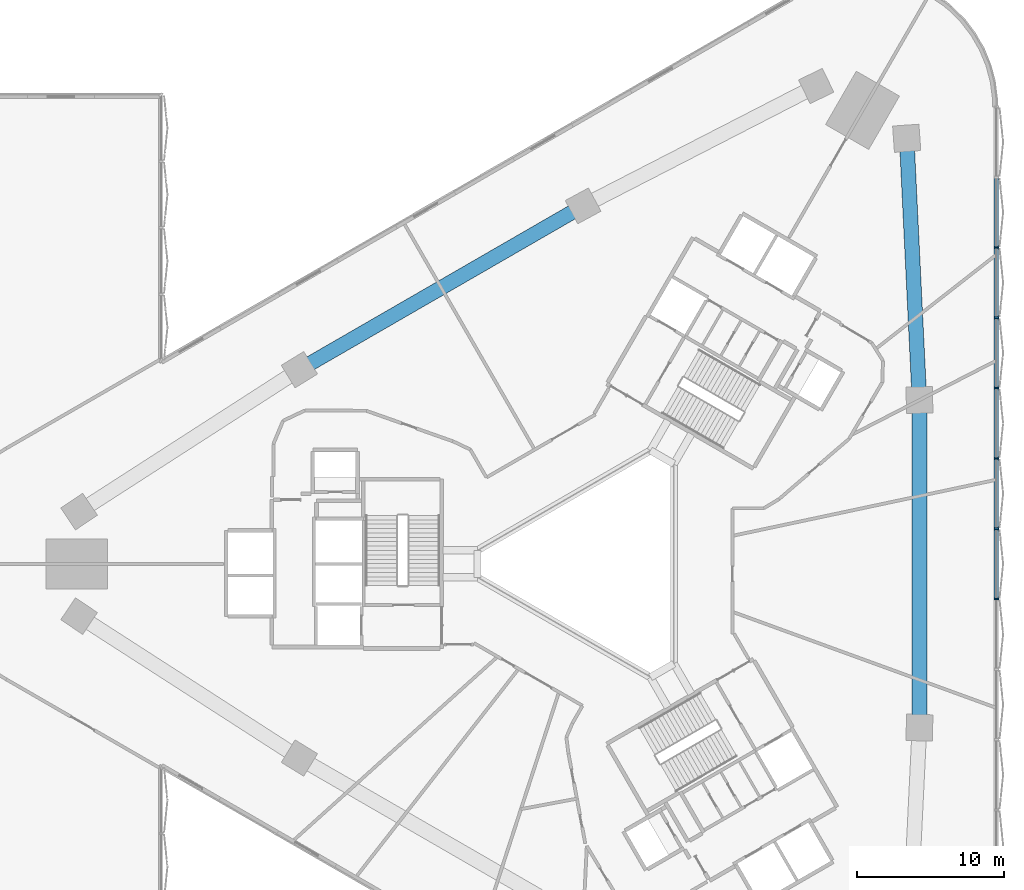
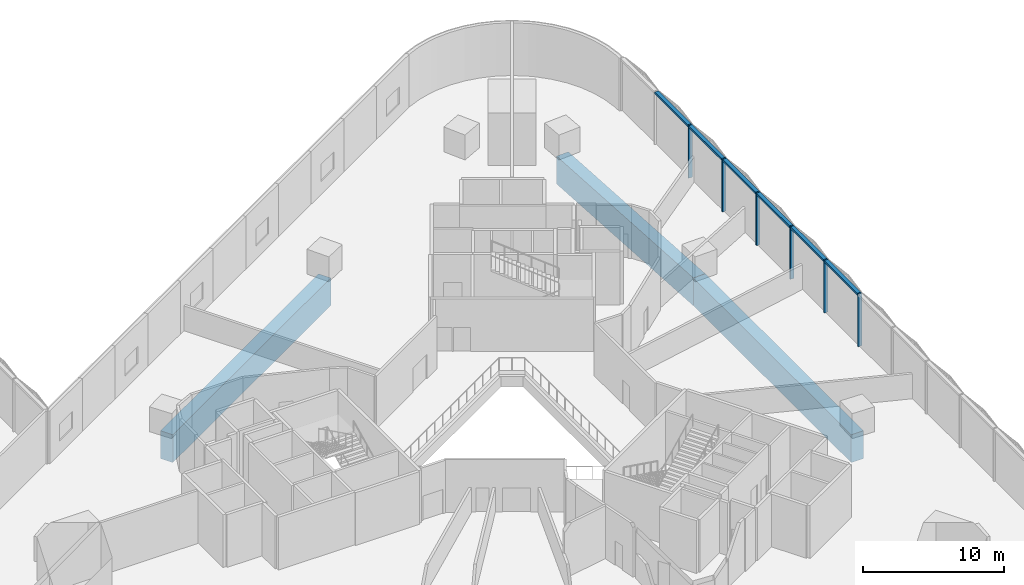
# One storey, part 7 of 24: 8 members, 3 beams, 1 element without a shape of its own.
"""IFC4 building model written with IfcOpenShell, lengths in metres."""

from ifc_helpers import new_model, si_unit, direction, frame, origin, origin_2d, place, context, subcontext, project, spatial, rectangle, extrude, material, material_profile, profile_set, type_object, element, aggregate, save


model = new_model("IFC4")

# Units and contexts
model_context = context("Model", 3, precision=1e-05, world=origin(), true_north=direction((0.0, 1.0)))
body_context = subcontext(model_context, "Body", "Model", "MODEL_VIEW")
ifc_project = project(units=[si_unit("LENGTHUNIT", "METRE"), si_unit("AREAUNIT", "SQUARE_METRE"), si_unit("VOLUMEUNIT", "CUBIC_METRE"), si_unit("PLANEANGLEUNIT", "RADIAN"), si_unit("MASSUNIT", "GRAM", prefix="KILO")], contexts=[model_context])

# Site, building, storey
site_placement = place(None, origin())
site = spatial("IfcSite", under=ifc_project, at=site_placement, CompositionType="ELEMENT")
building_placement = place(site_placement, origin())
building = spatial("IfcBuilding", under=site, at=building_placement, Name="Tamra Quay Hotel Tower", CompositionType="ELEMENT")
storey_placement = place(building_placement, frame((0.0, 0.0, 19.5)))
storey = spatial("IfcBuildingStorey", under=building, at=storey_placement, Name="L03", CompositionType="ELEMENT", Elevation=19.5)

# Curtain wall, members
ifc_material_1 = material(Name="Aluminium 6063 anodised dark grey", Category="aluminium")
curtain_wall_type = type_object("IfcCurtainWallType", Name="CW4 CURTAIN WALL", PredefinedType="NOTDEFINED", material=ifc_material_1)
curtain_wall_placement = place(storey_placement, origin())
curtain_wall = element("IfcCurtainWall", 1, at=curtain_wall_placement, inside=storey, type_object=curtain_wall_type, Name="CW4 east face L03", PredefinedType="NOTDEFINED")
ifc_material_profile_1 = material_profile(ifc_material_1, rectangle(XDim=0.300048828125, YDim=0.1201171875, at=origin_2d()), Name="MULLION 120X300")
ifc_profile_set_1 = profile_set([ifc_material_profile_1], Name="Aluminium 6063 anodised dark grey")
member_type_1 = type_object("IfcMemberType", Name="MULLION CW4", PredefinedType="MULLION", material=ifc_profile_set_1)
member_1_placement = place(storey_placement, frame((27.0, -2.398193359375, 0.0), z_axis=(0.0, 0.0, 1.0), x_axis=(1.0, 0.0, 0.0)))
member_1 = element("IfcMember", 2, at=member_1_placement, type_object=member_type_1, Name="CW4 mullion L03.E.11", PredefinedType="MULLION", context=body_context, shape_type="SweptSolid", body=[
    extrude(rectangle(XDim=0.300048828125, YDim=0.1201171875, at=origin_2d()), origin(), (0.0, 0.0, 1.0), 4.550048828125),
])
member_2_placement = place(storey_placement, frame((27.0, 2.398193359375, 0.0), z_axis=(0.0, 0.0, 1.0), x_axis=(1.0, 0.0, 0.0)))
member_2 = element("IfcMember", 3, at=member_2_placement, type_object=member_type_1, Name="CW4 mullion L03.E.12", PredefinedType="MULLION", context=body_context, shape_type="SweptSolid", body=[
    extrude(rectangle(XDim=0.300048828125, YDim=0.1201171875, at=origin_2d()), origin(), (0.0, 0.0, 1.0), 4.550048828125),
])
member_3_placement = place(storey_placement, frame((27.0, 7.194580078125, 0.0), z_axis=(0.0, 0.0, 1.0), x_axis=(1.0, 0.0, 0.0)))
member_3 = element("IfcMember", 4, at=member_3_placement, type_object=member_type_1, Name="CW4 mullion L03.E.13", PredefinedType="MULLION", context=body_context, shape_type="SweptSolid", body=[
    extrude(rectangle(XDim=0.300048828125, YDim=0.1201171875, at=origin_2d()), origin(), (0.0, 0.0, 1.0), 4.550048828125),
])
member_4_placement = place(storey_placement, frame((27.0, 11.9912109375, 0.0), z_axis=(0.0, 0.0, 1.0), x_axis=(1.0, 0.0, 0.0)))
member_4 = element("IfcMember", 5, at=member_4_placement, type_object=member_type_1, Name="CW4 mullion L03.E.14", PredefinedType="MULLION", context=body_context, shape_type="SweptSolid", body=[
    extrude(rectangle(XDim=0.300048828125, YDim=0.1201171875, at=origin_2d()), origin(), (0.0, 0.0, 1.0), 4.550048828125),
])
member_5_placement = place(storey_placement, frame((27.0, 16.78759765625, 0.0), z_axis=(0.0, 0.0, 1.0), x_axis=(1.0, 0.0, 0.0)))
member_5 = element("IfcMember", 6, at=member_5_placement, type_object=member_type_1, Name="CW4 mullion L03.E.15", PredefinedType="MULLION", context=body_context, shape_type="SweptSolid", body=[
    extrude(rectangle(XDim=0.300048828125, YDim=0.1201171875, at=origin_2d()), origin(), (0.0, 0.0, 1.0), 4.550048828125),
])
member_6_placement = place(storey_placement, frame((27.0, 21.583984375, 0.0), z_axis=(0.0, 0.0, 1.0), x_axis=(1.0, 0.0, 0.0)))
member_6 = element("IfcMember", 7, at=member_6_placement, type_object=member_type_1, Name="CW4 mullion L03.E.16", PredefinedType="MULLION", context=body_context, shape_type="SweptSolid", body=[
    extrude(rectangle(XDim=0.300048828125, YDim=0.1201171875, at=origin_2d()), origin(), (0.0, 0.0, 1.0), 4.550048828125),
])

# Beams
ifc_material_2 = material(Name="Concrete M60", Category="concrete")
ifc_material_profile_2 = material_profile(ifc_material_2, rectangle(XDim=1.0, YDim=2.39990234375, at=origin_2d()), Name="PODIUM RING GIRDER RC 1000x2400")
ifc_profile_set_2 = profile_set([ifc_material_profile_2], Name="Concrete M60")
beam_type = type_object("IfcBeamType", Name="PODIUM RING GIRDER RC 1000x2400", PredefinedType="BEAM", material=ifc_profile_set_2)
beam_1_placement = place(storey_placement, frame((21.7490234375, -11.17431640625, -1.550048828125), z_axis=(0.0, 1.0, 0.0), x_axis=(-1.0, 0.0, 0.0)))
element("IfcBeam", 8, at=beam_1_placement, inside=storey, type_object=beam_type, Name="BM-PG002-L03", PredefinedType="BEAM", context=body_context, shape_type="SweptSolid", body=[
    extrude(rectangle(XDim=1.0, YDim=2.39990234375, at=origin_2d()), origin(), (0.0, 0.0, 1.0), 22.3486328125),
])
beam_2_placement = place(storey_placement, frame((21.7490234375, 11.17431640625, -1.550048828125), z_axis=(-0.048662088022, 0.998815298836, 0.0), x_axis=(-0.998815298836, -0.048662088022, 0.0)))
element("IfcBeam", 9, at=beam_2_placement, inside=storey, type_object=beam_type, Name="BM-PG003-L03", PredefinedType="BEAM", context=body_context, shape_type="SweptSolid", body=[
    extrude(rectangle(XDim=1.0, YDim=2.39990234375, at=origin_2d()), origin(), (0.0, 0.0, 1.0), 17.880859375),
])
beam_3_placement = place(storey_placement, frame((-1.197265625, 24.422607421875, -1.550048828125), z_axis=(-0.866023498866, -0.500003299401, 0.0), x_axis=(0.500003299401, -0.866023498866, 0.0)))
element("IfcBeam", 10, at=beam_3_placement, inside=storey, type_object=beam_type, Name="BM-PG005-L03", PredefinedType="BEAM", context=body_context, shape_type="SweptSolid", body=[
    extrude(rectangle(XDim=1.0, YDim=2.39990234375, at=origin_2d()), origin(), (0.0, 0.0, 1.0), 22.348876953125),
])

# Member
ifc_material_profile_3 = material_profile(ifc_material_1, rectangle(XDim=0.300048828125, YDim=0.179931640625, at=origin_2d()), Name="TRANSOM 300X180")
ifc_profile_set_3 = profile_set([ifc_material_profile_3], Name="Aluminium 6063 anodised dark grey")
member_type_2 = type_object("IfcMemberType", Name="TRANSOM CW4", PredefinedType="USERDEFINED", material=ifc_profile_set_3)
member_7_placement = place(storey_placement, frame((27.0, -2.338134765625, 4.4599609375), z_axis=(0.0, 1.0, 0.0), x_axis=(-1.0, 0.0, 0.0)))
member_7 = element("IfcMember", 11, at=member_7_placement, type_object=member_type_2, Name="CW4 transom L03.E.11", ObjectType="TRANSOM", PredefinedType="USERDEFINED", context=body_context, shape_type="SweptSolid", body=[
    extrude(rectangle(XDim=0.300048828125, YDim=0.179931640625, at=origin_2d()), origin(), (0.0, 0.0, 1.0), 14.269287109375),
])

member_8_placement = place(storey_placement, frame((27.0, 12.051025390625, 4.4599609375), z_axis=(0.0, 1.0, 0.0), x_axis=(-1.0, 0.0, 0.0)))
member_8 = element("IfcMember", 12, at=member_8_placement, type_object=member_type_2, Name="CW4 transom L03.E.14", ObjectType="TRANSOM", PredefinedType="USERDEFINED", context=body_context, shape_type="SweptSolid", body=[
    extrude(rectangle(XDim=0.300048828125, YDim=0.179931640625, at=origin_2d()), origin(), (0.0, 0.0, 1.0), 14.26953125),
])

aggregate(curtain_wall, [member_1, member_7, member_2, member_3, member_4, member_8, member_5, member_6])

save(model, "model.ifc")
